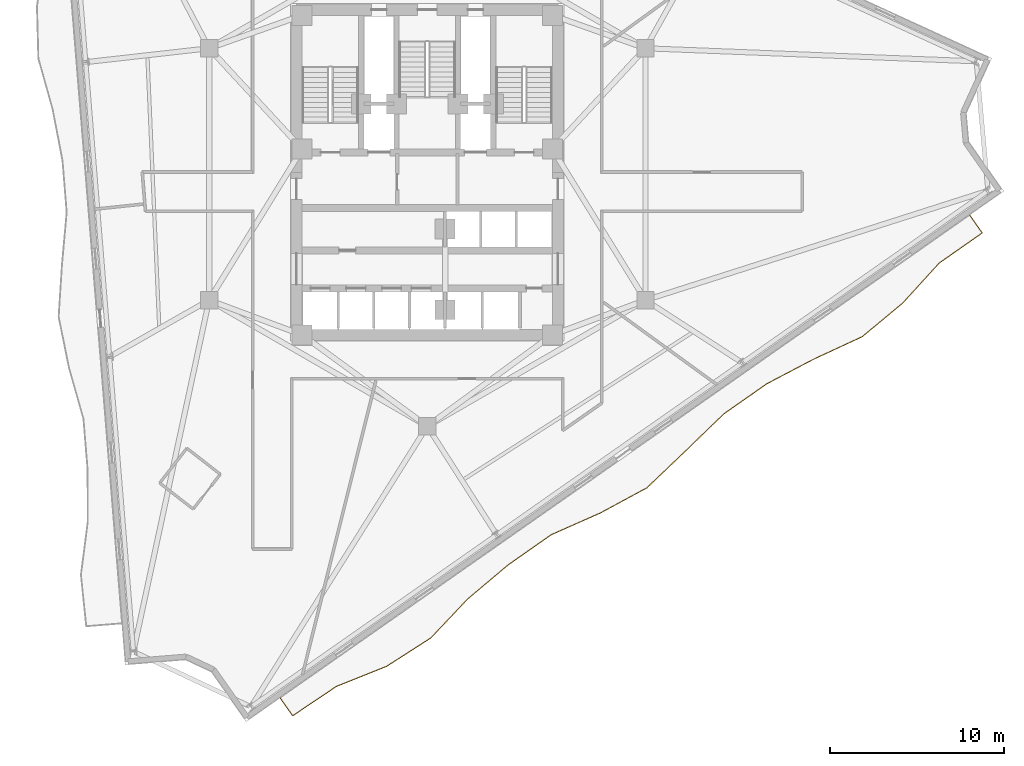
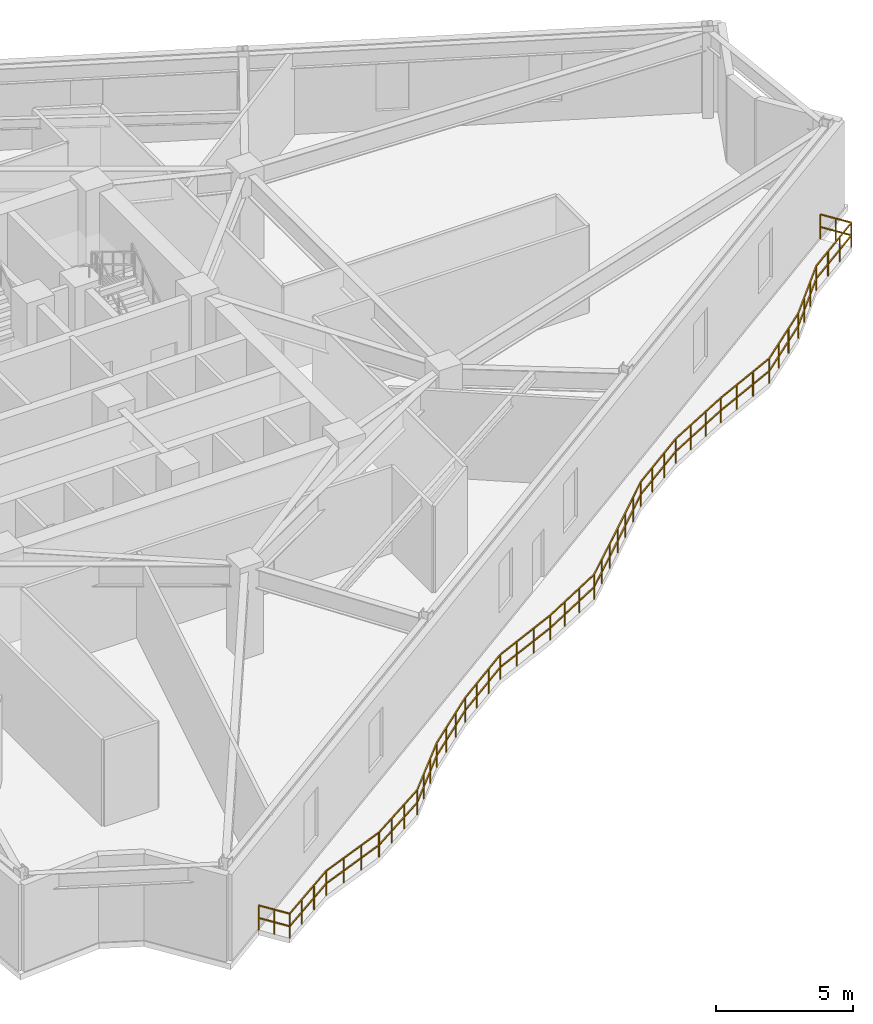
# One storey, part 9 of 10: 1 railing.
"""IFC4 building model written with IfcOpenShell, lengths in metres."""

from ifc_helpers import new_model, si_unit, direction, frame, origin, origin_2d, place, context, subcontext, project, spatial, rectangle, extrude, material, type_object, element, save


model = new_model("IFC4")

# Units and contexts
model_context = context("Model", 3, precision=1e-05, world=origin(), true_north=direction((0.0, 1.0)))
body_context = subcontext(model_context, "Body", "Model", "MODEL_VIEW")
ifc_project = project(units=[si_unit("LENGTHUNIT", "METRE"), si_unit("AREAUNIT", "SQUARE_METRE"), si_unit("VOLUMEUNIT", "CUBIC_METRE"), si_unit("PLANEANGLEUNIT", "RADIAN"), si_unit("MASSUNIT", "GRAM", prefix="KILO")], contexts=[model_context])

# Site, building, storey
site_placement = place(None, origin())
site = spatial("IfcSite", under=ifc_project, at=site_placement, CompositionType="ELEMENT")
building_placement = place(site_placement, origin())
building = spatial("IfcBuilding", under=site, at=building_placement, Name="Apsidion Concourse Tower", CompositionType="ELEMENT")
storey_placement = place(building_placement, frame((0.0, 0.0, 218.800048828125)))
storey = spatial("IfcBuildingStorey", under=building, at=storey_placement, Name="L51", CompositionType="ELEMENT", Elevation=218.800048828125)

# Railing
ifc_material = material(Name="Brushed stainless steel 316", Category="steel")
railing_type = type_object("IfcRailingType", Name="RL-BAL-1120", PredefinedType="BALUSTRADE", material=ifc_material)
railing_placement = place(storey_placement, frame((31.23095703125, -2.356689453125, 0.0)))
element("IfcRailing", 1, at=railing_placement, inside=storey, type_object=railing_type, Name="L51 Face 2 Rippling Balcony Balustrade", PredefinedType="BALUSTRADE", context=body_context, shape_type="SweptSolid", body=[
    extrude(rectangle(XDim=0.048095703125, YDim=0.048095703125, at=origin_2d()), frame((0.0, 0.0, 1.09619140625), z_axis=(0.573619628835, -0.819121798889, 0.0), x_axis=(0.819121798889, 0.573619628835, 0.0)), (0.0, 0.0, 1.0), 1.25),
    extrude(rectangle(XDim=0.048095703125, YDim=0.048095703125, at=origin_2d()), frame((0.0, 0.0, 0.5361328125), z_axis=(0.573619628835, -0.819121798889, 0.0), x_axis=(0.819121798889, 0.573619628835, 0.0)), (0.0, 0.0, 1.0), 1.25),
    extrude(rectangle(XDim=0.048095703125, YDim=0.048095703125, at=origin_2d()), frame((0.717041015625, -1.02392578125, 1.09619140625), z_axis=(-0.819159967158, -0.573565121155, 0.0), x_axis=(0.573565121155, -0.819159967158, 0.0)), (0.0, 0.0, 1.0), 3.029052734375),
    extrude(rectangle(XDim=0.048095703125, YDim=0.048095703125, at=origin_2d()), frame((0.717041015625, -1.02392578125, 0.5361328125), z_axis=(-0.819159967158, -0.573565121155, 0.0), x_axis=(0.573565121155, -0.819159967158, 0.0)), (0.0, 0.0, 1.0), 3.029052734375),
    extrude(rectangle(XDim=0.048095703125, YDim=0.048095703125, at=origin_2d()), frame((-1.76416015625, -2.76123046875, 1.09619140625), z_axis=(-0.673345789442, -0.739327699901, 0.0), x_axis=(0.739327699901, -0.673345789442, 0.0)), (0.0, 0.0, 1.0), 3.1044921875),
    extrude(rectangle(XDim=0.048095703125, YDim=0.048095703125, at=origin_2d()), frame((-1.76416015625, -2.76123046875, 0.5361328125), z_axis=(-0.673345789442, -0.739327699901, 0.0), x_axis=(0.739327699901, -0.673345789442, 0.0)), (0.0, 0.0, 1.0), 3.1044921875),
    extrude(rectangle(XDim=0.048095703125, YDim=0.048095703125, at=origin_2d()), frame((-3.8544921875, -5.056396484375, 1.09619140625), z_axis=(-0.769319744606, -0.638863937439, 0.0), x_axis=(0.638863937439, -0.769319744606, 0.0)), (0.0, 0.0, 1.0), 3.039306640625),
    extrude(rectangle(XDim=0.048095703125, YDim=0.048095703125, at=origin_2d()), frame((-3.8544921875, -5.056396484375, 0.5361328125), z_axis=(-0.769319744606, -0.638863937439, 0.0), x_axis=(0.638863937439, -0.769319744606, 0.0)), (0.0, 0.0, 1.0), 3.039306640625),
    extrude(rectangle(XDim=0.048095703125, YDim=0.048095703125, at=origin_2d()), frame((-6.192626953125, -6.998046875, 1.09619140625), z_axis=(-0.907433854503, -0.420194954398, 0.0), x_axis=(0.420194954398, -0.907433854503, 0.0)), (0.0, 0.0, 1.0), 3.0771484375),
    extrude(rectangle(XDim=0.048095703125, YDim=0.048095703125, at=origin_2d()), frame((-6.192626953125, -6.998046875, 0.5361328125), z_axis=(-0.907433854503, -0.420194954398, 0.0), x_axis=(0.420194954398, -0.907433854503, 0.0)), (0.0, 0.0, 1.0), 3.0771484375),
    extrude(rectangle(XDim=0.048095703125, YDim=0.048095703125, at=origin_2d()), frame((-8.98486328125, -8.291015625, 1.09619140625), z_axis=(-0.885410241196, -0.464810396597, 0.0), x_axis=(0.464810396597, -0.885410241196, 0.0)), (0.0, 0.0, 1.0), 3.0537109375),
    extrude(rectangle(XDim=0.048095703125, YDim=0.048095703125, at=origin_2d()), frame((-8.98486328125, -8.291015625, 0.5361328125), z_axis=(-0.885410241196, -0.464810396597, 0.0), x_axis=(0.464810396597, -0.885410241196, 0.0)), (0.0, 0.0, 1.0), 3.0537109375),
    extrude(rectangle(XDim=0.048095703125, YDim=0.048095703125, at=origin_2d()), frame((-11.688720703125, -9.71044921875, 1.09619140625), z_axis=(-0.819133448272, -0.573602993299, 0.0), x_axis=(0.573602993299, -0.819133448272, 0.0)), (0.0, 0.0, 1.0), 3.02880859375),
    extrude(rectangle(XDim=0.048095703125, YDim=0.048095703125, at=origin_2d()), frame((-11.688720703125, -9.71044921875, 0.5361328125), z_axis=(-0.819133448272, -0.573602993299, 0.0), x_axis=(0.573602993299, -0.819133448272, 0.0)), (0.0, 0.0, 1.0), 3.02880859375),
    extrude(rectangle(XDim=0.048095703125, YDim=0.048095703125, at=origin_2d()), frame((-14.169677734375, -11.44775390625, 1.09619140625), z_axis=(-0.717925703119, -0.696119734529, 0.0), x_axis=(0.696119734529, -0.717925703119, 0.0)), (0.0, 0.0, 1.0), 3.067626953125),
    extrude(rectangle(XDim=0.048095703125, YDim=0.048095703125, at=origin_2d()), frame((-14.169677734375, -11.44775390625, 0.5361328125), z_axis=(-0.717925703119, -0.696119734529, 0.0), x_axis=(0.696119734529, -0.717925703119, 0.0)), (0.0, 0.0, 1.0), 3.067626953125),
    extrude(rectangle(XDim=0.048095703125, YDim=0.048095703125, at=origin_2d()), frame((-16.3720703125, -13.583251953125, 1.09619140625), z_axis=(-0.72352557096, -0.69029757943, 0.0), x_axis=(0.69029757943, -0.72352557096, 0.0)), (0.0, 0.0, 1.0), 3.06396484375),
    extrude(rectangle(XDim=0.048095703125, YDim=0.048095703125, at=origin_2d()), frame((-16.3720703125, -13.583251953125, 0.5361328125), z_axis=(-0.72352557096, -0.69029757943, 0.0), x_axis=(0.69029757943, -0.72352557096, 0.0)), (0.0, 0.0, 1.0), 3.06396484375),
    extrude(rectangle(XDim=0.048095703125, YDim=0.048095703125, at=origin_2d()), frame((-18.5888671875, -15.6982421875, 1.09619140625), z_axis=(-0.879822362119, -0.475302652124, 0.0), x_axis=(0.475302652124, -0.879822362119, 0.0)), (0.0, 0.0, 1.0), 3.049072265625),
    extrude(rectangle(XDim=0.048095703125, YDim=0.048095703125, at=origin_2d()), frame((-18.5888671875, -15.6982421875, 0.5361328125), z_axis=(-0.879822362119, -0.475302652124, 0.0), x_axis=(0.475302652124, -0.879822362119, 0.0)), (0.0, 0.0, 1.0), 3.049072265625),
    extrude(rectangle(XDim=0.048095703125, YDim=0.048095703125, at=origin_2d()), frame((-21.271484375, -17.1474609375, 1.09619140625), z_axis=(-0.914417143549, -0.404773131005, 0.0), x_axis=(0.404773131005, -0.914417143549, 0.0)), (0.0, 0.0, 1.0), 3.0869140625),
    extrude(rectangle(XDim=0.048095703125, YDim=0.048095703125, at=origin_2d()), frame((-21.271484375, -17.1474609375, 0.5361328125), z_axis=(-0.914417143549, -0.404773131005, 0.0), x_axis=(0.404773131005, -0.914417143549, 0.0)), (0.0, 0.0, 1.0), 3.0869140625),
    extrude(rectangle(XDim=0.048095703125, YDim=0.048095703125, at=origin_2d()), frame((-24.09423828125, -18.39697265625, 1.09619140625), z_axis=(-0.819159967158, -0.573565121155, 0.0), x_axis=(0.573565121155, -0.819159967158, 0.0)), (0.0, 0.0, 1.0), 3.029052734375),
    extrude(rectangle(XDim=0.048095703125, YDim=0.048095703125, at=origin_2d()), frame((-24.09423828125, -18.39697265625, 0.5361328125), z_axis=(-0.819159967158, -0.573565121155, 0.0), x_axis=(0.573565121155, -0.819159967158, 0.0)), (0.0, 0.0, 1.0), 3.029052734375),
    extrude(rectangle(XDim=0.048095703125, YDim=0.048095703125, at=origin_2d()), frame((-26.575439453125, -20.13427734375, 1.09619140625), z_axis=(-0.764934098387, -0.644108550731, 0.0), x_axis=(0.644108550731, -0.764934098387, 0.0)), (0.0, 0.0, 1.0), 3.041015625),
    extrude(rectangle(XDim=0.048095703125, YDim=0.048095703125, at=origin_2d()), frame((-26.575439453125, -20.13427734375, 0.5361328125), z_axis=(-0.764934098387, -0.644108550731, 0.0), x_axis=(0.644108550731, -0.764934098387, 0.0)), (0.0, 0.0, 1.0), 3.041015625),
    extrude(rectangle(XDim=0.048095703125, YDim=0.048095703125, at=origin_2d()), frame((-28.901611328125, -22.093017578125, 1.09619140625), z_axis=(-0.687172823778, -0.726493985014, 0.0), x_axis=(0.726493985014, -0.687172823778, 0.0)), (0.0, 0.0, 1.0), 3.092041015625),
    extrude(rectangle(XDim=0.048095703125, YDim=0.048095703125, at=origin_2d()), frame((-28.901611328125, -22.093017578125, 0.5361328125), z_axis=(-0.687172823778, -0.726493985014, 0.0), x_axis=(0.726493985014, -0.687172823778, 0.0)), (0.0, 0.0, 1.0), 3.092041015625),
    extrude(rectangle(XDim=0.048095703125, YDim=0.048095703125, at=origin_2d()), frame((-31.0263671875, -24.33935546875, 1.09619140625), z_axis=(-0.841552475239, -0.540175370985, 0.0), x_axis=(0.540175370985, -0.841552475239, 0.0)), (0.0, 0.0, 1.0), 3.03125),
    extrude(rectangle(XDim=0.048095703125, YDim=0.048095703125, at=origin_2d()), frame((-31.0263671875, -24.33935546875, 0.5361328125), z_axis=(-0.841552475239, -0.540175370985, 0.0), x_axis=(0.540175370985, -0.841552475239, 0.0)), (0.0, 0.0, 1.0), 3.03125),
    extrude(rectangle(XDim=0.048095703125, YDim=0.048095703125, at=origin_2d()), frame((-33.577392578125, -25.976806640625, 1.09619140625), z_axis=(-0.928638944552, -0.370984784946, 0.0), x_axis=(0.370984784946, -0.928638944552, 0.0)), (0.0, 0.0, 1.0), 3.111328125),
    extrude(rectangle(XDim=0.048095703125, YDim=0.048095703125, at=origin_2d()), frame((-33.577392578125, -25.976806640625, 0.5361328125), z_axis=(-0.928638944552, -0.370984784946, 0.0), x_axis=(0.370984784946, -0.928638944552, 0.0)), (0.0, 0.0, 1.0), 3.111328125),
    extrude(rectangle(XDim=0.048095703125, YDim=0.048095703125, at=origin_2d()), frame((-36.466796875, -27.131103515625, 1.09619140625), z_axis=(-0.829998883468, -0.557765052188, 0.0), x_axis=(0.557765052188, -0.829998883468, 0.0)), (0.0, 0.0, 1.0), 3.029296875),
    extrude(rectangle(XDim=0.048095703125, YDim=0.048095703125, at=origin_2d()), frame((-36.466796875, -27.131103515625, 0.5361328125), z_axis=(-0.829998883468, -0.557765052188, 0.0), x_axis=(0.557765052188, -0.829998883468, 0.0)), (0.0, 0.0, 1.0), 3.029296875),
    extrude(rectangle(XDim=0.048095703125, YDim=0.048095703125, at=origin_2d()), frame((-38.981201171875, -28.82080078125, 1.09619140625), z_axis=(-0.573619628835, 0.819121798889, 0.0), x_axis=(-0.819121798889, -0.573619628835, 0.0)), (0.0, 0.0, 1.0), 1.25),
    extrude(rectangle(XDim=0.048095703125, YDim=0.048095703125, at=origin_2d()), frame((-38.981201171875, -28.82080078125, 0.5361328125), z_axis=(-0.573619628835, 0.819121798889, 0.0), x_axis=(-0.819121798889, -0.573619628835, 0.0)), (0.0, 0.0, 1.0), 1.25),
    extrude(rectangle(XDim=0.0419921875, YDim=0.0419921875, at=origin_2d()), origin(), (0.0, 0.0, 1.0), 1.072021484375),
    extrude(rectangle(XDim=0.0419921875, YDim=0.0419921875, at=origin_2d()), frame((0.3583984375, -0.511962890625, 0.0)), (0.0, 0.0, 1.0), 1.072021484375),
    extrude(rectangle(XDim=0.0419921875, YDim=0.0419921875, at=origin_2d()), frame((0.717041015625, -1.02392578125, 0.0)), (0.0, 0.0, 1.0), 1.072021484375),
    extrude(rectangle(XDim=0.0419921875, YDim=0.0419921875, at=origin_2d()), frame((-0.110107421875, -1.60302734375, 0.0)), (0.0, 0.0, 1.0), 1.072021484375),
    extrude(rectangle(XDim=0.0419921875, YDim=0.0419921875, at=origin_2d()), frame((-0.93701171875, -2.18212890625, 0.0)), (0.0, 0.0, 1.0), 1.072021484375),
    extrude(rectangle(XDim=0.0419921875, YDim=0.0419921875, at=origin_2d()), frame((-1.76416015625, -2.76123046875, 0.0)), (0.0, 0.0, 1.0), 1.072021484375),
    extrude(rectangle(XDim=0.0419921875, YDim=0.0419921875, at=origin_2d()), frame((-2.4609375, -3.5263671875, 0.0)), (0.0, 0.0, 1.0), 1.072021484375),
    extrude(rectangle(XDim=0.0419921875, YDim=0.0419921875, at=origin_2d()), frame((-3.15771484375, -4.291259765625, 0.0)), (0.0, 0.0, 1.0), 1.072021484375),
    extrude(rectangle(XDim=0.0419921875, YDim=0.0419921875, at=origin_2d()), frame((-3.8544921875, -5.056396484375, 0.0)), (0.0, 0.0, 1.0), 1.072021484375),
    extrude(rectangle(XDim=0.0419921875, YDim=0.0419921875, at=origin_2d()), frame((-4.6337890625, -5.70361328125, 0.0)), (0.0, 0.0, 1.0), 1.072021484375),
    extrude(rectangle(XDim=0.0419921875, YDim=0.0419921875, at=origin_2d()), frame((-5.413330078125, -6.350830078125, 0.0)), (0.0, 0.0, 1.0), 1.072021484375),
    extrude(rectangle(XDim=0.0419921875, YDim=0.0419921875, at=origin_2d()), frame((-6.192626953125, -6.998046875, 0.0)), (0.0, 0.0, 1.0), 1.072021484375),
    extrude(rectangle(XDim=0.0419921875, YDim=0.0419921875, at=origin_2d()), frame((-7.123291015625, -7.428955078125, 0.0)), (0.0, 0.0, 1.0), 1.072021484375),
    extrude(rectangle(XDim=0.0419921875, YDim=0.0419921875, at=origin_2d()), frame((-8.05419921875, -7.860107421875, 0.0)), (0.0, 0.0, 1.0), 1.072021484375),
    extrude(rectangle(XDim=0.0419921875, YDim=0.0419921875, at=origin_2d()), frame((-8.98486328125, -8.291015625, 0.0)), (0.0, 0.0, 1.0), 1.072021484375),
    extrude(rectangle(XDim=0.0419921875, YDim=0.0419921875, at=origin_2d()), frame((-9.88623046875, -8.76416015625, 0.0)), (0.0, 0.0, 1.0), 1.072021484375),
    extrude(rectangle(XDim=0.0419921875, YDim=0.0419921875, at=origin_2d()), frame((-10.787353515625, -9.2373046875, 0.0)), (0.0, 0.0, 1.0), 1.072021484375),
    extrude(rectangle(XDim=0.0419921875, YDim=0.0419921875, at=origin_2d()), frame((-11.688720703125, -9.71044921875, 0.0)), (0.0, 0.0, 1.0), 1.072021484375),
    extrude(rectangle(XDim=0.0419921875, YDim=0.0419921875, at=origin_2d()), frame((-12.515625, -10.28955078125, 0.0)), (0.0, 0.0, 1.0), 1.072021484375),
    extrude(rectangle(XDim=0.0419921875, YDim=0.0419921875, at=origin_2d()), frame((-13.3427734375, -10.86865234375, 0.0)), (0.0, 0.0, 1.0), 1.072021484375),
    extrude(rectangle(XDim=0.0419921875, YDim=0.0419921875, at=origin_2d()), frame((-14.169677734375, -11.44775390625, 0.0)), (0.0, 0.0, 1.0), 1.072021484375),
    extrude(rectangle(XDim=0.0419921875, YDim=0.0419921875, at=origin_2d()), frame((-14.90380859375, -12.15966796875, 0.0)), (0.0, 0.0, 1.0), 1.072021484375),
    extrude(rectangle(XDim=0.0419921875, YDim=0.0419921875, at=origin_2d()), frame((-15.637939453125, -12.871337890625, 0.0)), (0.0, 0.0, 1.0), 1.072021484375),
    extrude(rectangle(XDim=0.0419921875, YDim=0.0419921875, at=origin_2d()), frame((-16.3720703125, -13.583251953125, 0.0)), (0.0, 0.0, 1.0), 1.072021484375),
    extrude(rectangle(XDim=0.0419921875, YDim=0.0419921875, at=origin_2d()), frame((-17.111083984375, -14.288330078125, 0.0)), (0.0, 0.0, 1.0), 1.072021484375),
    extrude(rectangle(XDim=0.0419921875, YDim=0.0419921875, at=origin_2d()), frame((-17.849853515625, -14.9931640625, 0.0)), (0.0, 0.0, 1.0), 1.072021484375),
    extrude(rectangle(XDim=0.0419921875, YDim=0.0419921875, at=origin_2d()), frame((-18.5888671875, -15.6982421875, 0.0)), (0.0, 0.0, 1.0), 1.072021484375),
    extrude(rectangle(XDim=0.0419921875, YDim=0.0419921875, at=origin_2d()), frame((-19.483154296875, -16.181396484375, 0.0)), (0.0, 0.0, 1.0), 1.072021484375),
    extrude(rectangle(XDim=0.0419921875, YDim=0.0419921875, at=origin_2d()), frame((-20.377197265625, -16.664306640625, 0.0)), (0.0, 0.0, 1.0), 1.072021484375),
    extrude(rectangle(XDim=0.0419921875, YDim=0.0419921875, at=origin_2d()), frame((-21.271484375, -17.1474609375, 0.0)), (0.0, 0.0, 1.0), 1.072021484375),
    extrude(rectangle(XDim=0.0419921875, YDim=0.0419921875, at=origin_2d()), frame((-22.21240234375, -17.56396484375, 0.0)), (0.0, 0.0, 1.0), 1.072021484375),
    extrude(rectangle(XDim=0.0419921875, YDim=0.0419921875, at=origin_2d()), frame((-23.1533203125, -17.98046875, 0.0)), (0.0, 0.0, 1.0), 1.072021484375),
    extrude(rectangle(XDim=0.0419921875, YDim=0.0419921875, at=origin_2d()), frame((-24.09423828125, -18.39697265625, 0.0)), (0.0, 0.0, 1.0), 1.072021484375),
    extrude(rectangle(XDim=0.0419921875, YDim=0.0419921875, at=origin_2d()), frame((-24.92138671875, -18.97607421875, 0.0)), (0.0, 0.0, 1.0), 1.072021484375),
    extrude(rectangle(XDim=0.0419921875, YDim=0.0419921875, at=origin_2d()), frame((-25.748291015625, -19.55517578125, 0.0)), (0.0, 0.0, 1.0), 1.072021484375),
    extrude(rectangle(XDim=0.0419921875, YDim=0.0419921875, at=origin_2d()), frame((-26.575439453125, -20.13427734375, 0.0)), (0.0, 0.0, 1.0), 1.072021484375),
    extrude(rectangle(XDim=0.0419921875, YDim=0.0419921875, at=origin_2d()), frame((-27.350830078125, -20.787109375, 0.0)), (0.0, 0.0, 1.0), 1.072021484375),
    extrude(rectangle(XDim=0.0419921875, YDim=0.0419921875, at=origin_2d()), frame((-28.126220703125, -21.440185546875, 0.0)), (0.0, 0.0, 1.0), 1.072021484375),
    extrude(rectangle(XDim=0.0419921875, YDim=0.0419921875, at=origin_2d()), frame((-28.901611328125, -22.093017578125, 0.0)), (0.0, 0.0, 1.0), 1.072021484375),
    extrude(rectangle(XDim=0.0419921875, YDim=0.0419921875, at=origin_2d()), frame((-29.60986328125, -22.841796875, 0.0)), (0.0, 0.0, 1.0), 1.072021484375),
    extrude(rectangle(XDim=0.0419921875, YDim=0.0419921875, at=origin_2d()), frame((-30.318115234375, -23.590576171875, 0.0)), (0.0, 0.0, 1.0), 1.072021484375),
    extrude(rectangle(XDim=0.0419921875, YDim=0.0419921875, at=origin_2d()), frame((-31.0263671875, -24.33935546875, 0.0)), (0.0, 0.0, 1.0), 1.072021484375),
    extrude(rectangle(XDim=0.0419921875, YDim=0.0419921875, at=origin_2d()), frame((-31.876708984375, -24.88525390625, 0.0)), (0.0, 0.0, 1.0), 1.072021484375),
    extrude(rectangle(XDim=0.0419921875, YDim=0.0419921875, at=origin_2d()), frame((-32.72705078125, -25.430908203125, 0.0)), (0.0, 0.0, 1.0), 1.072021484375),
    extrude(rectangle(XDim=0.0419921875, YDim=0.0419921875, at=origin_2d()), frame((-33.577392578125, -25.976806640625, 0.0)), (0.0, 0.0, 1.0), 1.072021484375),
    extrude(rectangle(XDim=0.0419921875, YDim=0.0419921875, at=origin_2d()), frame((-34.54052734375, -26.361572265625, 0.0)), (0.0, 0.0, 1.0), 1.072021484375),
    extrude(rectangle(XDim=0.0419921875, YDim=0.0419921875, at=origin_2d()), frame((-35.503662109375, -26.746337890625, 0.0)), (0.0, 0.0, 1.0), 1.072021484375),
    extrude(rectangle(XDim=0.0419921875, YDim=0.0419921875, at=origin_2d()), frame((-36.466796875, -27.131103515625, 0.0)), (0.0, 0.0, 1.0), 1.072021484375),
    extrude(rectangle(XDim=0.0419921875, YDim=0.0419921875, at=origin_2d()), frame((-37.304931640625, -27.6943359375, 0.0)), (0.0, 0.0, 1.0), 1.072021484375),
    extrude(rectangle(XDim=0.0419921875, YDim=0.0419921875, at=origin_2d()), frame((-38.14306640625, -28.257568359375, 0.0)), (0.0, 0.0, 1.0), 1.072021484375),
    extrude(rectangle(XDim=0.0419921875, YDim=0.0419921875, at=origin_2d()), frame((-38.981201171875, -28.82080078125, 0.0)), (0.0, 0.0, 1.0), 1.072021484375),
    extrude(rectangle(XDim=0.0419921875, YDim=0.0419921875, at=origin_2d()), frame((-39.33984375, -28.308837890625, 0.0)), (0.0, 0.0, 1.0), 1.072021484375),
    extrude(rectangle(XDim=0.0419921875, YDim=0.0419921875, at=origin_2d()), frame((-39.6982421875, -27.796875, 0.0)), (0.0, 0.0, 1.0), 1.072021484375),
])

save(model, "model.ifc")
